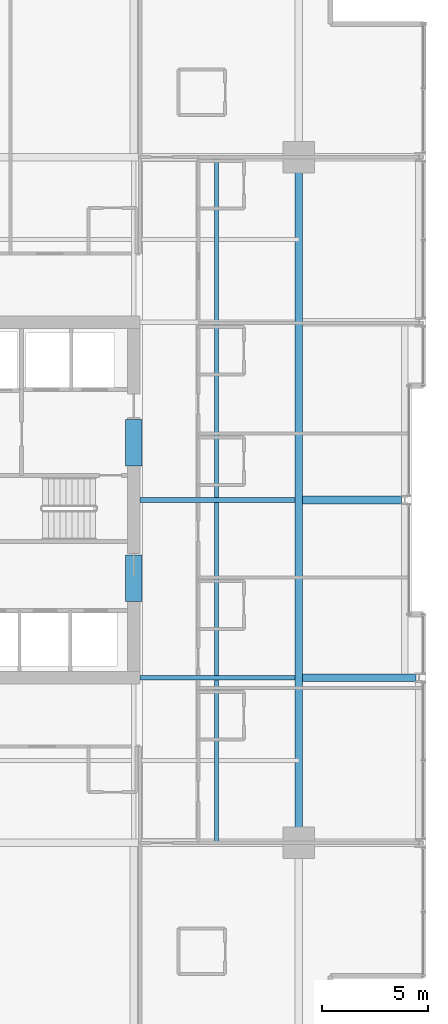
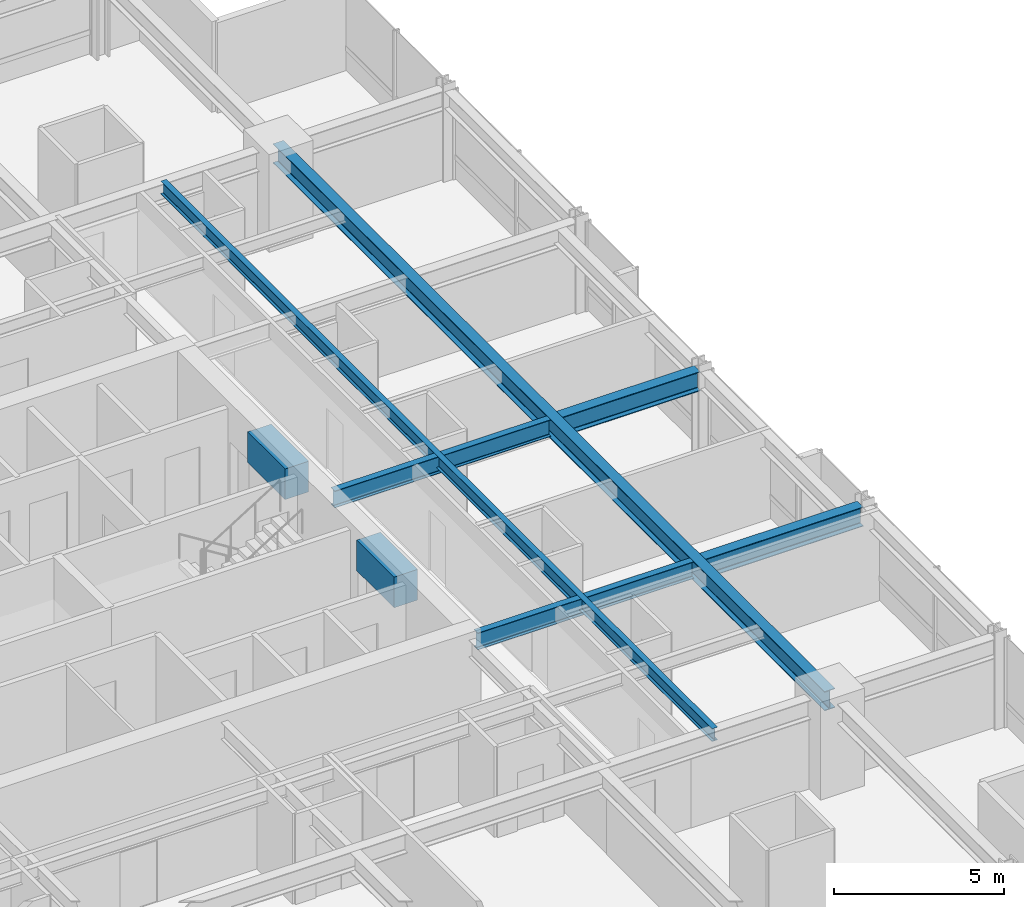
# One storey, part 14 of 34: 8 beams.
"""IFC4 building model written with IfcOpenShell, lengths in metres."""

from ifc_helpers import new_model, si_unit, direction, frame, origin, origin_2d, place, context, subcontext, project, spatial, rectangle, i_section, extrude, material, material_profile, profile_set, type_object, element, save


model = new_model("IFC4")

# Units and contexts
model_context = context("Model", 3, precision=1e-05, world=origin(), true_north=direction((0.0, 1.0)))
body_context = subcontext(model_context, "Body", "Model", "MODEL_VIEW")
ifc_project = project(units=[si_unit("LENGTHUNIT", "METRE"), si_unit("AREAUNIT", "SQUARE_METRE"), si_unit("VOLUMEUNIT", "CUBIC_METRE"), si_unit("PLANEANGLEUNIT", "RADIAN"), si_unit("MASSUNIT", "GRAM", prefix="KILO")], contexts=[model_context])

# Site, building, storey
site_placement = place(None, origin())
site = spatial("IfcSite", under=ifc_project, at=site_placement, CompositionType="ELEMENT")
building_placement = place(site_placement, origin())
building = spatial("IfcBuilding", under=site, at=building_placement, Name="Drelvath Grand Hotel", CompositionType="ELEMENT")
storey_placement = place(building_placement, frame((0.0, 0.0, 126.800048828125)))
storey = spatial("IfcBuildingStorey", under=building, at=storey_placement, Name="L32", CompositionType="ELEMENT", Elevation=126.800048828125)

# Beams
ifc_material_1 = material(Name="Steel ASTM A992 Gr 50", Category="steel")
ifc_material_profile_1 = material_profile(ifc_material_1, i_section(OverallWidth=0.19140625, OverallDepth=0.4599609375, WebThickness=0.010009765625, FlangeThickness=0.01611328125, FilletRadius=0.01611328125, at=origin_2d()), Name="W18X55")
ifc_profile_set_1 = profile_set([ifc_material_profile_1], Name="Steel ASTM A992 Gr 50")
beam_type_1 = type_object("IfcBeamType", Name="Composite Floor Joist W18X55", PredefinedType="JOIST", material=ifc_profile_set_1)
beam_1_placement = place(storey_placement, frame((12.300048828125, 10.800048828125, 3.010009765625), z_axis=(0.0, 1.0, 0.0), x_axis=(-1.0, 0.0, 0.0)))
element("IfcBeam", 1, at=beam_1_placement, inside=storey, type_object=beam_type_1, Name="L32 Wing Floor Joist J4", PredefinedType="JOIST", context=body_context, shape_type="SweptSolid", body=[
    extrude(i_section(OverallWidth=0.19140625, OverallDepth=0.4599609375, WebThickness=0.010009765625, FlangeThickness=0.01611328125, FilletRadius=0.01611328125, at=origin_2d()), origin(), (0.0, 0.0, 1.0), 32.39990234375),
])
ifc_material_2 = material(Name="Concrete f'c 70 MPa", Category="concrete")
ifc_material_profile_2 = material_profile(ifc_material_2, rectangle(XDim=0.800048828125, YDim=1.10009765625, at=origin_2d()), Name="CB800X1100")
ifc_profile_set_2 = profile_set([ifc_material_profile_2], Name="Concrete f'c 70 MPa")
beam_type_2 = type_object("IfcBeamType", Name="Core Coupling Lintel CB800X1100", PredefinedType="LINTEL", material=ifc_profile_set_2)
for number, where, z_axis, x_axis, name in (
    (2, (8.39990234375, 22.199951171875, 2.68994140625), (0.0, 1.0, 0.0), (-1.0, 0.0, 0.0), "L32 Core Coupling Lintel ES"),
    (3, (8.39990234375, 28.60009765625, 2.68994140625), (0.0, 1.0, 0.0), (-1.0, 0.0, 0.0), "L32 Core Coupling Lintel EN"),
):
    element("IfcBeam", number, at=place(storey_placement, frame(where, z_axis=z_axis, x_axis=x_axis)), inside=storey, type_object=beam_type_2, Name=name, PredefinedType="LINTEL", context=body_context, shape_type="SweptSolid", body=[
        extrude(rectangle(XDim=0.800048828125, YDim=1.10009765625, at=origin_2d()), origin(), (0.0, 0.0, 1.0), 2.199951171875),
    ])
ifc_material_profile_3 = material_profile(ifc_material_1, i_section(OverallWidth=0.228271484375, OverallDepth=0.607666015625, WebThickness=0.01123046875, FlangeThickness=0.017333984375, FilletRadius=0.02001953125, at=origin_2d()), Name="W24X76")
ifc_profile_set_3 = profile_set([ifc_material_profile_3], Name="Steel ASTM A992 Gr 50")
beam_type_3 = type_object("IfcBeamType", Name="Primary Floor Girder W24X76", PredefinedType="BEAM", material=ifc_profile_set_3)
for number, where, z_axis, x_axis, name in (
    (4, (8.699951171875, 18.60009765625, 2.93603515625), (1.0, 0.0, 0.0), (0.0, 1.0, 0.0), "L32 East Core Tie D"),
    (5, (8.699951171875, 27.0, 2.93603515625), (1.0, 0.0, 0.0), (0.0, 1.0, 0.0), "L32 East Core Tie E"),
):
    element("IfcBeam", number, at=place(storey_placement, frame(where, z_axis=z_axis, x_axis=x_axis)), inside=storey, type_object=beam_type_3, Name=name, PredefinedType="BEAM", context=body_context, shape_type="SweptSolid", body=[
        extrude(i_section(OverallWidth=0.228271484375, OverallDepth=0.607666015625, WebThickness=0.01123046875, FlangeThickness=0.017333984375, FilletRadius=0.02001953125, at=origin_2d()), origin(), (0.0, 0.0, 1.0), 7.32275390625),
    ])
ifc_material_profile_4 = material_profile(ifc_material_1, i_section(OverallWidth=0.354736328125, OverallDepth=0.695556640625, WebThickness=0.015380859375, FlangeThickness=0.025146484375, FilletRadius=0.02392578125, at=origin_2d()), Name="W27X146")
ifc_profile_set_4 = profile_set([ifc_material_profile_4], Name="Steel ASTM A992 Gr 50")
beam_type_4 = type_object("IfcBeamType", Name="Primary Floor Girder W27X146", PredefinedType="BEAM", material=ifc_profile_set_4)
beam_2_placement = place(storey_placement, frame((16.199951171875, 10.800048828125, 2.892333984375), z_axis=(0.0, 1.0, 0.0), x_axis=(-1.0, 0.0, 0.0)))
element("IfcBeam", 6, at=beam_2_placement, inside=storey, type_object=beam_type_4, Name="L32 Mega Ring Girder East", PredefinedType="BEAM", context=body_context, shape_type="SweptSolid", body=[
    extrude(i_section(OverallWidth=0.354736328125, OverallDepth=0.695556640625, WebThickness=0.015380859375, FlangeThickness=0.025146484375, FilletRadius=0.02392578125, at=origin_2d()), origin(), (0.0, 0.0, 1.0), 32.39990234375),
])
beam_3_placement = place(storey_placement, frame((16.37744140625, 18.60009765625, 2.892333984375), z_axis=(1.0, 0.0, 0.0), x_axis=(0.0, 1.0, 0.0)))
element("IfcBeam", 7, at=beam_3_placement, inside=storey, type_object=beam_type_4, Name="L32 East Wing Girder D", PredefinedType="BEAM", context=body_context, shape_type="SweptSolid", body=[
    extrude(i_section(OverallWidth=0.354736328125, OverallDepth=0.695556640625, WebThickness=0.015380859375, FlangeThickness=0.025146484375, FilletRadius=0.02392578125, at=origin_2d()), origin(), (0.0, 0.0, 1.0), 5.362548828125),
])
beam_4_placement = place(storey_placement, frame((16.37744140625, 27.0, 2.892333984375), z_axis=(1.0, 0.0, 0.0), x_axis=(0.0, 1.0, 0.0)))
element("IfcBeam", 8, at=beam_4_placement, inside=storey, type_object=beam_type_4, Name="L32 East Wing Girder E", PredefinedType="BEAM", context=body_context, shape_type="SweptSolid", body=[
    extrude(i_section(OverallWidth=0.354736328125, OverallDepth=0.695556640625, WebThickness=0.015380859375, FlangeThickness=0.025146484375, FilletRadius=0.02392578125, at=origin_2d()), origin(), (0.0, 0.0, 1.0), 4.6826171875),
])

save(model, "model.ifc")
